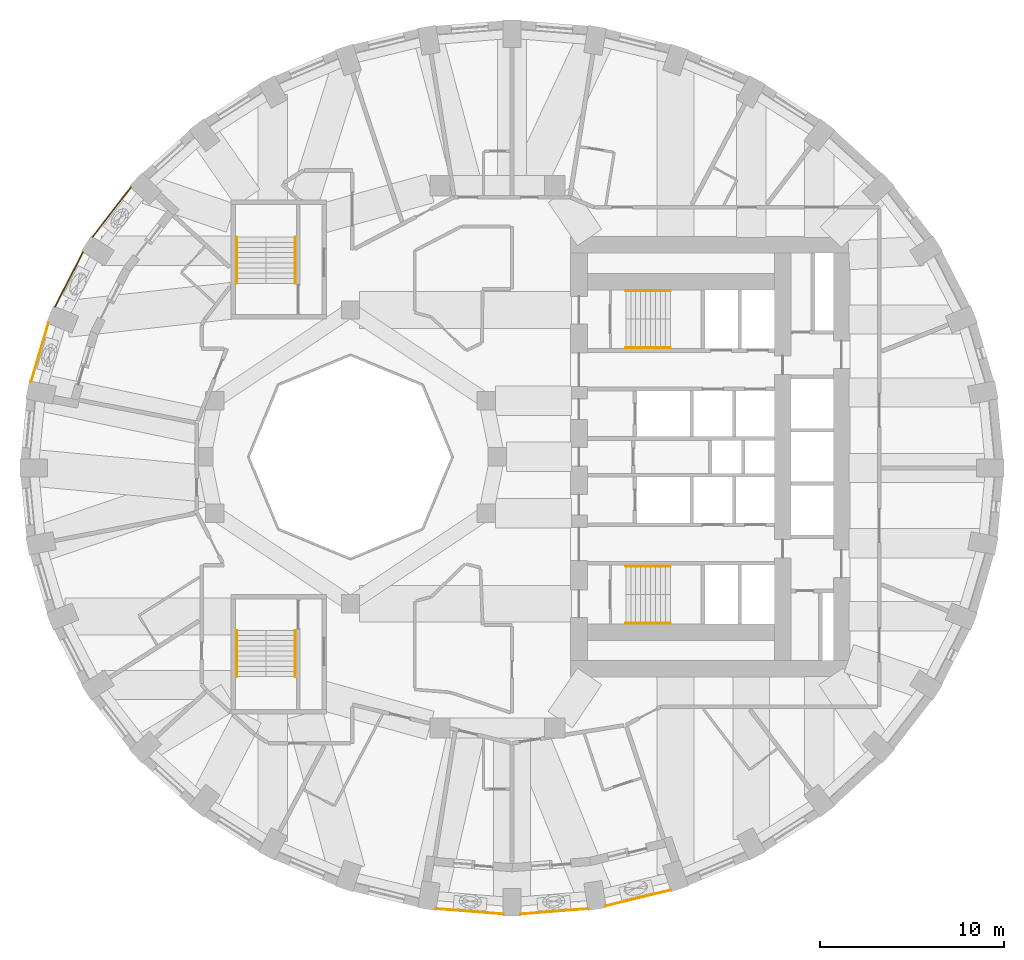
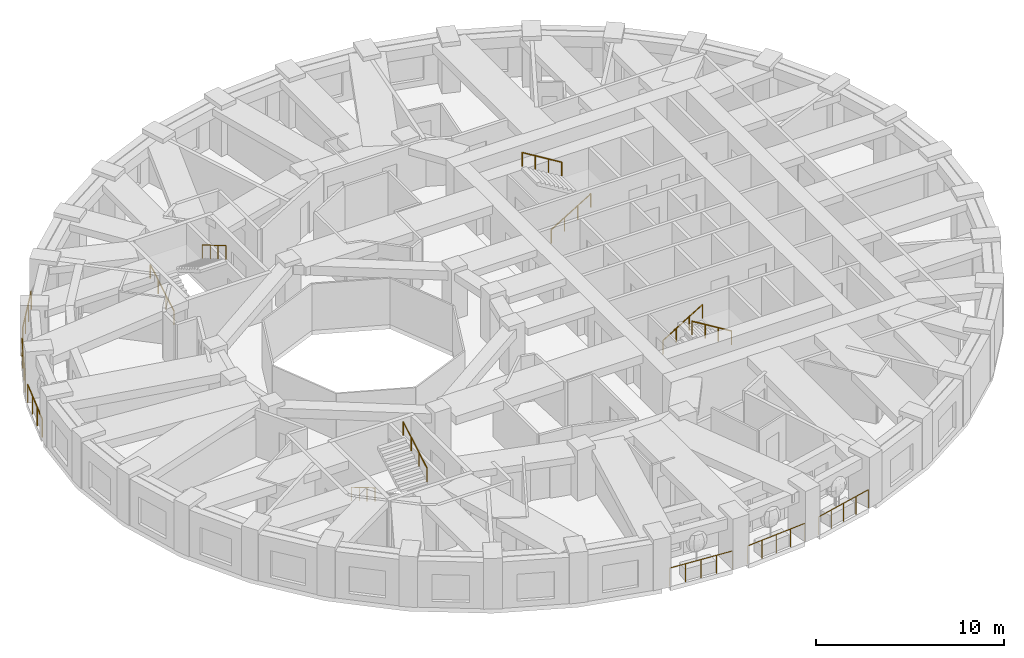
# One storey, part 11 of 13: 14 railings.
"""IFC4 building model written with IfcOpenShell, lengths in metres."""

from ifc_helpers import new_model, si_unit, direction, frame, origin, origin_2d, place, context, subcontext, project, spatial, circle, extrude, material, type_object, element, save


model = new_model("IFC4")

# Units and contexts
model_context = context("Model", 3, precision=1e-05, world=origin(), true_north=direction((0.0, 1.0)))
body_context = subcontext(model_context, "Body", "Model", "MODEL_VIEW")
ifc_project = project(units=[si_unit("LENGTHUNIT", "METRE"), si_unit("AREAUNIT", "SQUARE_METRE"), si_unit("VOLUMEUNIT", "CUBIC_METRE"), si_unit("PLANEANGLEUNIT", "RADIAN"), si_unit("MASSUNIT", "GRAM", prefix="KILO")], contexts=[model_context])

# Site, building, storey
site_placement = place(None, origin())
site = spatial("IfcSite", under=ifc_project, at=site_placement, CompositionType="ELEMENT")
building_placement = place(site_placement, origin())
building = spatial("IfcBuilding", under=site, at=building_placement, Name="Taillehof Tower", CompositionType="ELEMENT")
storey_placement = place(building_placement, frame((0.0, 0.0, 112.0)))
storey = spatial("IfcBuildingStorey", under=building, at=storey_placement, Name="L31", CompositionType="ELEMENT", Elevation=112.0)

# Railings
ifc_material_1 = material(Name="Stainless steel balustrade", Category="steel")
railing_type_1 = type_object("IfcRailingType", Name="Balcony guard 1200", PredefinedType="GUARDRAIL", material=ifc_material_1)
railing_1_placement = place(storey_placement, frame((-19.95703125, 14.687744140625, 0.0)))
element("IfcRailing", 1, at=railing_1_placement, inside=storey, type_object=railing_type_1, Name="Balcony guard L31 bay 15", PredefinedType="GUARDRAIL", context=body_context, shape_type="SweptSolid", body=[
    extrude(circle(Radius=0.02392578125, at=origin_2d()), frame((0.0, 0.0, 1.17578125), z_axis=(-0.6106578582, -0.791894551199, 0.0), x_axis=(0.791894551199, -0.6106578582, 0.0)), (0.0, 0.0, 1.0), 3.42431640625),
    extrude(circle(Radius=0.02099609375, at=origin_2d()), origin(), (0.0, 0.0, 1.0), 1.15185546875),
    extrude(circle(Radius=0.02099609375, at=origin_2d()), frame((-0.697021484375, -0.90380859375, 0.0)), (0.0, 0.0, 1.0), 1.15185546875),
    extrude(circle(Radius=0.02099609375, at=origin_2d()), frame((-1.39404296875, -1.807861328125, 0.0)), (0.0, 0.0, 1.0), 1.15185546875),
    extrude(circle(Radius=0.02099609375, at=origin_2d()), frame((-2.091064453125, -2.711669921875, 0.0)), (0.0, 0.0, 1.0), 1.15185546875),
])
railing_2_placement = place(storey_placement, frame((-22.562744140625, 11.16552734375, 0.0)))
element("IfcRailing", 2, at=railing_2_placement, inside=storey, type_object=railing_type_1, Name="Balcony guard L31 bay 16", PredefinedType="GUARDRAIL", context=body_context, shape_type="SweptSolid", body=[
    extrude(circle(Radius=0.02392578125, at=origin_2d()), frame((0.0, 0.0, 1.17578125), z_axis=(-0.456827973353, -0.88955505887, 0.0), x_axis=(0.88955505887, -0.456827973353, 0.0)), (0.0, 0.0, 1.0), 3.363037109375),
    extrude(circle(Radius=0.02099609375, at=origin_2d()), origin(), (0.0, 0.0, 1.0), 1.15185546875),
    extrude(circle(Radius=0.02099609375, at=origin_2d()), frame((-0.51220703125, -0.997314453125, 0.0)), (0.0, 0.0, 1.0), 1.15185546875),
    extrude(circle(Radius=0.02099609375, at=origin_2d()), frame((-1.024169921875, -1.994384765625, 0.0)), (0.0, 0.0, 1.0), 1.15185546875),
    extrude(circle(Radius=0.02099609375, at=origin_2d()), frame((-1.536376953125, -2.99169921875, 0.0)), (0.0, 0.0, 1.0), 1.15185546875),
])
railing_3_placement = place(storey_placement, frame((-24.455810546875, 7.2822265625, 0.0)))
element("IfcRailing", 3, at=railing_3_placement, inside=storey, type_object=railing_type_1, Name="Balcony guard L31 bay 17", PredefinedType="GUARDRAIL", context=body_context, shape_type="SweptSolid", body=[
    extrude(circle(Radius=0.02392578125, at=origin_2d()), frame((0.0, 0.0, 1.17578125), z_axis=(-0.283050764058, -0.95910492907, 0.0), x_axis=(0.95910492907, -0.283050764058, 0.0)), (0.0, 0.0, 1.0), 3.3173828125),
    extrude(circle(Radius=0.02099609375, at=origin_2d()), origin(), (0.0, 0.0, 1.0), 1.15185546875),
    extrude(circle(Radius=0.02099609375, at=origin_2d()), frame((-0.31298828125, -1.060546875, 0.0)), (0.0, 0.0, 1.0), 1.15185546875),
    extrude(circle(Radius=0.02099609375, at=origin_2d()), frame((-0.6259765625, -2.12109375, 0.0)), (0.0, 0.0, 1.0), 1.15185546875),
    extrude(circle(Radius=0.02099609375, at=origin_2d()), frame((-0.93896484375, -3.181640625, 0.0)), (0.0, 0.0, 1.0), 1.15185546875),
])
railing_4_placement = place(storey_placement, frame((-3.352783203125, -24.60986328125, 0.0)))
element("IfcRailing", 4, at=railing_4_placement, inside=storey, type_object=railing_type_1, Name="Balcony guard L31 bay 27", PredefinedType="GUARDRAIL", context=body_context, shape_type="SweptSolid", body=[
    extrude(circle(Radius=0.02392578125, at=origin_2d()), frame((0.0, 0.0, 1.17578125), z_axis=(0.996859582788, -0.079189470281, 0.0), x_axis=(0.079189470281, 0.996859582788, 0.0)), (0.0, 0.0, 1.0), 3.68408203125),
    extrude(circle(Radius=0.02099609375, at=origin_2d()), origin(), (0.0, 0.0, 1.0), 1.15185546875),
    extrude(circle(Radius=0.02099609375, at=origin_2d()), frame((0.918212890625, -0.072998046875, 0.0)), (0.0, 0.0, 1.0), 1.15185546875),
    extrude(circle(Radius=0.02099609375, at=origin_2d()), frame((1.83642578125, -0.14599609375, 0.0)), (0.0, 0.0, 1.0), 1.15185546875),
    extrude(circle(Radius=0.02099609375, at=origin_2d()), frame((2.75439453125, -0.21875, 0.0)), (0.0, 0.0, 1.0), 1.15185546875),
    extrude(circle(Radius=0.02099609375, at=origin_2d()), frame((3.672607421875, -0.291748046875, 0.0)), (0.0, 0.0, 1.0), 1.15185546875),
])
railing_5_placement = place(storey_placement, frame((1.280029296875, -24.901611328125, 0.0)))
element("IfcRailing", 5, at=railing_5_placement, inside=storey, type_object=railing_type_1, Name="Balcony guard L31 bay 28", PredefinedType="GUARDRAIL", context=body_context, shape_type="SweptSolid", body=[
    extrude(circle(Radius=0.02392578125, at=origin_2d()), frame((0.0, 0.0, 1.17578125), z_axis=(0.996859998308, 0.07918423943, 0.0), x_axis=(-0.07918423943, 0.996859998308, 0.0)), (0.0, 0.0, 1.0), 3.684326171875),
    extrude(circle(Radius=0.02099609375, at=origin_2d()), origin(), (0.0, 0.0, 1.0), 1.15185546875),
    extrude(circle(Radius=0.02099609375, at=origin_2d()), frame((0.918212890625, 0.072998046875, 0.0)), (0.0, 0.0, 1.0), 1.15185546875),
    extrude(circle(Radius=0.02099609375, at=origin_2d()), frame((1.83642578125, 0.14599609375, 0.0)), (0.0, 0.0, 1.0), 1.15185546875),
    extrude(circle(Radius=0.02099609375, at=origin_2d()), frame((2.754638671875, 0.21875, 0.0)), (0.0, 0.0, 1.0), 1.15185546875),
    extrude(circle(Radius=0.02099609375, at=origin_2d()), frame((3.6728515625, 0.291748046875, 0.0)), (0.0, 0.0, 1.0), 1.15185546875),
])
railing_6_placement = place(storey_placement, frame((5.90087890625, -24.4580078125, 0.0)))
element("IfcRailing", 6, at=railing_6_placement, inside=storey, type_object=railing_type_1, Name="Balcony guard L31 bay 29", PredefinedType="GUARDRAIL", context=body_context, shape_type="SweptSolid", body=[
    extrude(circle(Radius=0.02392578125, at=origin_2d()), frame((0.0, 0.0, 1.17578125), z_axis=(0.971645249883, 0.236443457047, 0.0), x_axis=(-0.236443457047, 0.971645249883, 0.0)), (0.0, 0.0, 1.0), 3.661376953125),
    extrude(circle(Radius=0.02099609375, at=origin_2d()), origin(), (0.0, 0.0, 1.0), 1.15185546875),
    extrude(circle(Radius=0.02099609375, at=origin_2d()), frame((0.889404296875, 0.21630859375, 0.0)), (0.0, 0.0, 1.0), 1.15185546875),
    extrude(circle(Radius=0.02099609375, at=origin_2d()), frame((1.77880859375, 0.432861328125, 0.0)), (0.0, 0.0, 1.0), 1.15185546875),
    extrude(circle(Radius=0.02099609375, at=origin_2d()), frame((2.668212890625, 0.6494140625, 0.0)), (0.0, 0.0, 1.0), 1.15185546875),
    extrude(circle(Radius=0.02099609375, at=origin_2d()), frame((3.5576171875, 0.86572265625, 0.0)), (0.0, 0.0, 1.0), 1.15185546875),
])
ifc_material_2 = material(Name="Stainless steel", Category="steel")
railing_type_2 = type_object("IfcRailingType", Name="Stair handrail 900", PredefinedType="HANDRAIL", material=ifc_material_2)
railing_7_placement = place(storey_placement, frame((7.0, 5.949951171875, 0.1650390625)))
element("IfcRailing", 7, at=railing_7_placement, inside=storey, type_object=railing_type_2, Name="Stair S1 handrail", PredefinedType="HANDRAIL", context=body_context, shape_type="SweptSolid", body=[
    extrude(circle(Radius=0.02392578125, at=origin_2d()), frame((0.0, 0.0, 0.8759765625), z_axis=(0.853296667938, 0.0, 0.521425734392), x_axis=(0.0, 1.0, 0.0)), (0.0, 0.0, 1.0), 2.84765625),
    extrude(circle(Radius=0.02099609375, at=origin_2d()), origin(), (0.0, 0.0, 1.0), 0.851806640625),
    extrude(circle(Radius=0.02099609375, at=origin_2d()), frame((0.81005859375, 0.0, 0.494873046875)), (0.0, 0.0, 1.0), 0.851806640625),
    extrude(circle(Radius=0.02099609375, at=origin_2d()), frame((1.619873046875, 0.0, 0.989990234375)), (0.0, 0.0, 1.0), 0.851806640625),
    extrude(circle(Radius=0.02099609375, at=origin_2d()), frame((2.429931640625, 0.0, 1.48486328125)), (0.0, 0.0, 1.0), 0.851806640625),
])
railing_8_placement = place(storey_placement, frame((9.429931640625, 9.050048828125, 1.81494140625)))
element("IfcRailing", 8, at=railing_8_placement, inside=storey, type_object=railing_type_2, Name="Stair S1 handrail", PredefinedType="HANDRAIL", context=body_context, shape_type="SweptSolid", body=[
    extrude(circle(Radius=0.02392578125, at=origin_2d()), frame((0.0, 0.0, 0.8759765625), z_axis=(-0.853258522278, 0.0, 0.521488153423), x_axis=(0.0, -1.0, 0.0)), (0.0, 0.0, 1.0), 2.847900390625),
    extrude(circle(Radius=0.02099609375, at=origin_2d()), origin(), (0.0, 0.0, 1.0), 0.851806640625),
    extrude(circle(Radius=0.02099609375, at=origin_2d()), frame((-0.81005859375, 0.0, 0.4951171875)), (0.0, 0.0, 1.0), 0.851806640625),
    extrude(circle(Radius=0.02099609375, at=origin_2d()), frame((-1.619873046875, 0.0, 0.989990234375)), (0.0, 0.0, 1.0), 0.851806640625),
    extrude(circle(Radius=0.02099609375, at=origin_2d()), frame((-2.429931640625, 0.0, 1.485107421875)), (0.0, 0.0, 1.0), 0.851806640625),
])
railing_9_placement = place(storey_placement, frame((7.0, -5.949951171875, 0.1650390625)))
element("IfcRailing", 9, at=railing_9_placement, inside=storey, type_object=railing_type_2, Name="Stair S2 handrail", PredefinedType="HANDRAIL", context=body_context, shape_type="SweptSolid", body=[
    extrude(circle(Radius=0.02392578125, at=origin_2d()), frame((0.0, 0.0, 0.8759765625), z_axis=(0.853296667938, 0.0, 0.521425734392), x_axis=(0.0, 1.0, 0.0)), (0.0, 0.0, 1.0), 2.84765625),
    extrude(circle(Radius=0.02099609375, at=origin_2d()), origin(), (0.0, 0.0, 1.0), 0.851806640625),
    extrude(circle(Radius=0.02099609375, at=origin_2d()), frame((0.81005859375, 0.0, 0.494873046875)), (0.0, 0.0, 1.0), 0.851806640625),
    extrude(circle(Radius=0.02099609375, at=origin_2d()), frame((1.619873046875, 0.0, 0.989990234375)), (0.0, 0.0, 1.0), 0.851806640625),
    extrude(circle(Radius=0.02099609375, at=origin_2d()), frame((2.429931640625, 0.0, 1.48486328125)), (0.0, 0.0, 1.0), 0.851806640625),
])
railing_10_placement = place(storey_placement, frame((9.429931640625, -9.050048828125, 1.81494140625)))
element("IfcRailing", 10, at=railing_10_placement, inside=storey, type_object=railing_type_2, Name="Stair S2 handrail", PredefinedType="HANDRAIL", context=body_context, shape_type="SweptSolid", body=[
    extrude(circle(Radius=0.02392578125, at=origin_2d()), frame((0.0, 0.0, 0.8759765625), z_axis=(-0.853258522278, 0.0, 0.521488153423), x_axis=(0.0, -1.0, 0.0)), (0.0, 0.0, 1.0), 2.847900390625),
    extrude(circle(Radius=0.02099609375, at=origin_2d()), origin(), (0.0, 0.0, 1.0), 0.851806640625),
    extrude(circle(Radius=0.02099609375, at=origin_2d()), frame((-0.81005859375, 0.0, 0.4951171875)), (0.0, 0.0, 1.0), 0.851806640625),
    extrude(circle(Radius=0.02099609375, at=origin_2d()), frame((-1.619873046875, 0.0, 0.989990234375)), (0.0, 0.0, 1.0), 0.851806640625),
    extrude(circle(Radius=0.02099609375, at=origin_2d()), frame((-2.429931640625, 0.0, 1.485107421875)), (0.0, 0.0, 1.0), 0.851806640625),
])
railing_11_placement = place(storey_placement, frame((-14.199951171875, 9.449951171875, 0.1650390625)))
element("IfcRailing", 11, at=railing_11_placement, inside=storey, type_object=railing_type_2, Name="Stair S3 handrail", PredefinedType="HANDRAIL", context=body_context, shape_type="SweptSolid", body=[
    extrude(circle(Radius=0.02392578125, at=origin_2d()), frame((0.0, 0.0, 0.8759765625), z_axis=(0.0, 0.861560626758, 0.507654692109), x_axis=(-1.0, 0.0, 0.0)), (0.0, 0.0, 1.0), 2.925048828125),
    extrude(circle(Radius=0.02099609375, at=origin_2d()), origin(), (0.0, 0.0, 1.0), 0.851806640625),
    extrude(circle(Radius=0.02099609375, at=origin_2d()), frame((0.0, 0.840087890625, 0.494873046875)), (0.0, 0.0, 1.0), 0.851806640625),
    extrude(circle(Radius=0.02099609375, at=origin_2d()), frame((0.0, 1.679931640625, 0.989990234375)), (0.0, 0.0, 1.0), 0.851806640625),
    extrude(circle(Radius=0.02099609375, at=origin_2d()), frame((0.0, 2.52001953125, 1.48486328125)), (0.0, 0.0, 1.0), 0.851806640625),
])
railing_12_placement = place(storey_placement, frame((-11.0, 11.969970703125, 1.81494140625)))
element("IfcRailing", 12, at=railing_12_placement, inside=storey, type_object=railing_type_2, Name="Stair S3 handrail", PredefinedType="HANDRAIL", context=body_context, shape_type="SweptSolid", body=[
    extrude(circle(Radius=0.02392578125, at=origin_2d()), frame((0.0, 0.0, 0.8759765625), z_axis=(0.0, -0.86152411907, 0.507716645641), x_axis=(1.0, 0.0, 0.0)), (0.0, 0.0, 1.0), 2.925048828125),
    extrude(circle(Radius=0.02099609375, at=origin_2d()), origin(), (0.0, 0.0, 1.0), 0.851806640625),
    extrude(circle(Radius=0.02099609375, at=origin_2d()), frame((0.0, -0.840087890625, 0.4951171875)), (0.0, 0.0, 1.0), 0.851806640625),
    extrude(circle(Radius=0.02099609375, at=origin_2d()), frame((0.0, -1.679931640625, 0.989990234375)), (0.0, 0.0, 1.0), 0.851806640625),
    extrude(circle(Radius=0.02099609375, at=origin_2d()), frame((0.0, -2.52001953125, 1.485107421875)), (0.0, 0.0, 1.0), 0.851806640625),
])
railing_13_placement = place(storey_placement, frame((-14.199951171875, -9.449951171875, 0.1650390625)))
element("IfcRailing", 13, at=railing_13_placement, inside=storey, type_object=railing_type_2, Name="Stair S4 handrail", PredefinedType="HANDRAIL", context=body_context, shape_type="SweptSolid", body=[
    extrude(circle(Radius=0.02392578125, at=origin_2d()), frame((0.0, 0.0, 0.8759765625), z_axis=(0.0, -0.861560626758, 0.507654692109), x_axis=(1.0, 0.0, 0.0)), (0.0, 0.0, 1.0), 2.925048828125),
    extrude(circle(Radius=0.02099609375, at=origin_2d()), origin(), (0.0, 0.0, 1.0), 0.851806640625),
    extrude(circle(Radius=0.02099609375, at=origin_2d()), frame((0.0, -0.840087890625, 0.494873046875)), (0.0, 0.0, 1.0), 0.851806640625),
    extrude(circle(Radius=0.02099609375, at=origin_2d()), frame((0.0, -1.679931640625, 0.989990234375)), (0.0, 0.0, 1.0), 0.851806640625),
    extrude(circle(Radius=0.02099609375, at=origin_2d()), frame((0.0, -2.52001953125, 1.48486328125)), (0.0, 0.0, 1.0), 0.851806640625),
])
railing_14_placement = place(storey_placement, frame((-11.0, -11.969970703125, 1.81494140625)))
element("IfcRailing", 14, at=railing_14_placement, inside=storey, type_object=railing_type_2, Name="Stair S4 handrail", PredefinedType="HANDRAIL", context=body_context, shape_type="SweptSolid", body=[
    extrude(circle(Radius=0.02392578125, at=origin_2d()), frame((0.0, 0.0, 0.8759765625), z_axis=(0.0, 0.86152411907, 0.507716645641), x_axis=(-1.0, 0.0, 0.0)), (0.0, 0.0, 1.0), 2.925048828125),
    extrude(circle(Radius=0.02099609375, at=origin_2d()), origin(), (0.0, 0.0, 1.0), 0.851806640625),
    extrude(circle(Radius=0.02099609375, at=origin_2d()), frame((0.0, 0.840087890625, 0.4951171875)), (0.0, 0.0, 1.0), 0.851806640625),
    extrude(circle(Radius=0.02099609375, at=origin_2d()), frame((0.0, 1.679931640625, 0.989990234375)), (0.0, 0.0, 1.0), 0.851806640625),
    extrude(circle(Radius=0.02099609375, at=origin_2d()), frame((0.0, 2.52001953125, 1.485107421875)), (0.0, 0.0, 1.0), 0.851806640625),
])

save(model, "model.ifc")
